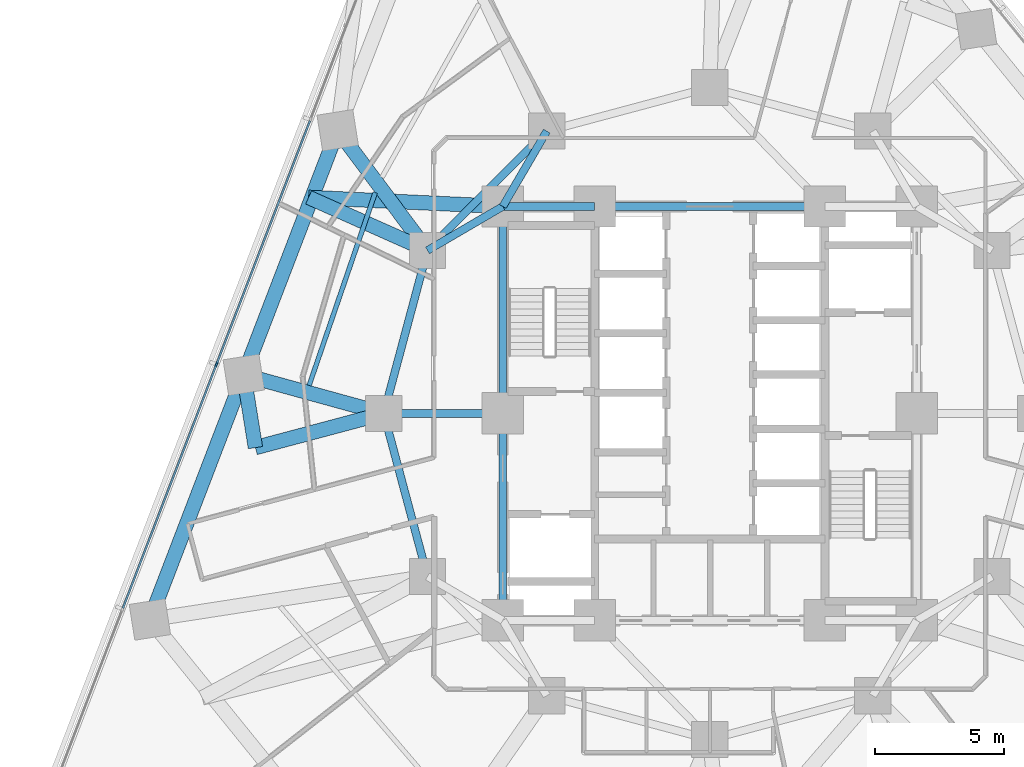
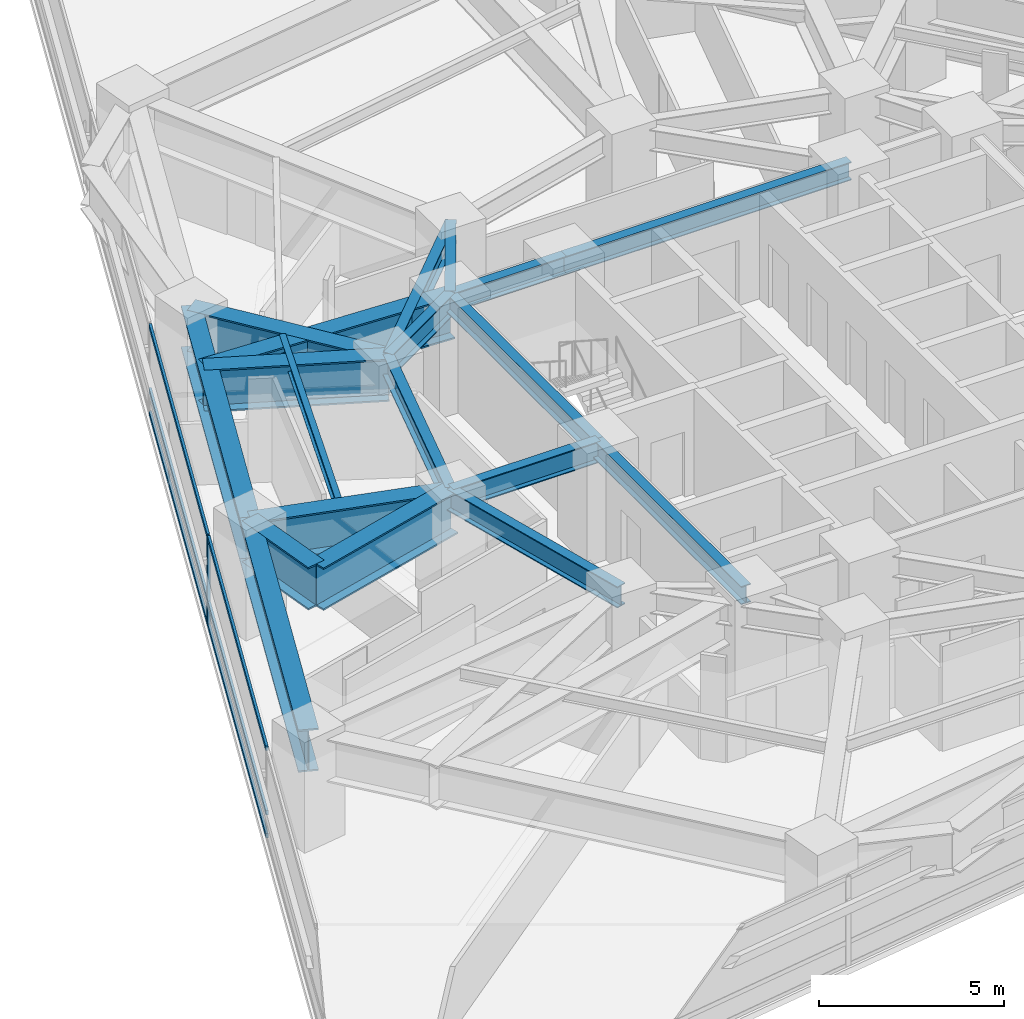
# One storey, part 3 of 13: 19 beams, 7 members, 1 element without a shape of its own.
"""IFC4 building model written with IfcOpenShell, lengths in metres."""

from ifc_helpers import new_model, si_unit, direction, frame, origin, origin_2d, place, context, subcontext, project, spatial, rectangle, i_section, extrude, material, layer, layer_set, material_profile, profile_set, type_object, element, aggregate, save


model = new_model("IFC4")

# Units and contexts
model_context = context("Model", 3, precision=1e-05, world=origin(), true_north=direction((0.0, 1.0)))
body_context = subcontext(model_context, "Body", "Model", "MODEL_VIEW")
ifc_project = project(units=[si_unit("LENGTHUNIT", "METRE"), si_unit("AREAUNIT", "SQUARE_METRE"), si_unit("VOLUMEUNIT", "CUBIC_METRE"), si_unit("PLANEANGLEUNIT", "RADIAN"), si_unit("MASSUNIT", "GRAM", prefix="KILO")], contexts=[model_context])

# Site, building, storey
site_placement = place(None, origin())
site = spatial("IfcSite", under=ifc_project, at=site_placement, CompositionType="ELEMENT")
building_placement = place(site_placement, origin())
building = spatial("IfcBuilding", under=site, at=building_placement, Name="Terralouvre Media Tower", CompositionType="ELEMENT")
storey_placement = place(building_placement, frame((0.0, 0.0, 81.5)))
storey = spatial("IfcBuildingStorey", under=building, at=storey_placement, Name="L20", CompositionType="ELEMENT", Elevation=81.5)

# Beam
ifc_material_1 = material(Name="Structural steel S355J2", Category="steel")
ifc_material_profile_1 = material_profile(ifc_material_1, i_section(OverallWidth=0.179931640625, OverallDepth=0.39990234375, WebThickness=0.008544921875, FlangeThickness=0.013427734375, at=origin_2d()), Name="IPE 400")
ifc_profile_set_1 = profile_set([ifc_material_profile_1], Name="Structural steel S355J2")
beam_type_1 = type_object("IfcBeamType", Name="Composite Floor Joist J-IPE400 (IPE 400)", PredefinedType="JOIST", material=ifc_profile_set_1)
beam_1_placement = place(storey_placement, frame((-12.929443359375, 8.535888671875, 3.260009765625), z_axis=(-0.324414630217, -0.945914979108, 0.0), x_axis=(0.945914979108, -0.324414630217, 0.0)))
element("IfcBeam", 1, at=beam_1_placement, inside=storey, type_object=beam_type_1, Name="L20 Framing Beam JT-L20-11", PredefinedType="JOIST", context=body_context, shape_type="SweptSolid", body=[
    extrude(i_section(OverallWidth=0.179931640625, OverallDepth=0.39990234375, WebThickness=0.008544921875, FlangeThickness=0.013427734375, at=origin_2d()), origin(), (0.0, 0.0, 1.0), 7.87939453125),
])

# Curtain wall, members
ifc_material_2 = material(Name="Low-iron laminated double glazing with solar-control coating", Category="glass")
ifc_layer = layer(ifc_material_2, 0.1650390625, Name="Lower Media Tower Unitised Curtain Wall CW-02")
ifc_layer_set = layer_set([ifc_layer], Name="Low-iron laminated double glazing with solar-control coating")
curtain_wall_type = type_object("IfcCurtainWallType", Name="Lower Media Tower Unitised Curtain Wall CW-02", PredefinedType="NOTDEFINED", material=ifc_layer_set)
curtain_wall_placement = place(storey_placement, origin())
curtain_wall = element("IfcCurtainWall", 2, at=curtain_wall_placement, inside=storey, type_object=curtain_wall_type, Name="L20 Facade Curtain Wall F2", PredefinedType="NOTDEFINED")
ifc_material_3 = material(Name="Anodised extruded aluminium 6063-T6", Category="aluminium")
ifc_material_profile_2 = material_profile(ifc_material_3, rectangle(XDim=0.074951171875, YDim=0.14990234375, at=origin_2d()), Name="ALU 75x150")
ifc_profile_set_2 = profile_set([ifc_material_profile_2], Name="Anodised extruded aluminium 6063-T6")
member_type_1 = type_object("IfcMemberType", Name="Curtain-Wall Horizontal Transom TR-150", PredefinedType="USERDEFINED", material=ifc_profile_set_2)
member_1_placement = place(storey_placement, frame((-15.449951171875, 11.314697265625, 0.03759765625), z_axis=(-0.358357340084, -0.933584499019, 0.0), x_axis=(0.933584499019, -0.358357340084, 0.0)))
member_1 = element("IfcMember", 3, at=member_1_placement, type_object=member_type_1, Name="CW-02 transom 3.1", ObjectType="TRANSOM", PredefinedType="USERDEFINED", context=body_context, shape_type="SweptSolid", body=[
    extrude(rectangle(XDim=0.074951171875, YDim=0.14990234375, at=origin_2d()), origin(), (0.0, 0.0, 1.0), 10.052978515625),
])
member_2_placement = place(storey_placement, frame((-15.449951171875, 11.314697265625, 0.800048828125), z_axis=(-0.358357340084, -0.933584499019, 0.0), x_axis=(0.933584499019, -0.358357340084, 0.0)))
member_2 = element("IfcMember", 4, at=member_2_placement, type_object=member_type_1, Name="CW-02 transom 3.2", ObjectType="TRANSOM", PredefinedType="USERDEFINED", context=body_context, shape_type="SweptSolid", body=[
    extrude(rectangle(XDim=0.074951171875, YDim=0.14990234375, at=origin_2d()), origin(), (0.0, 0.0, 1.0), 10.052978515625),
])
member_3_placement = place(storey_placement, frame((-15.449951171875, 11.314697265625, 2.922607421875), z_axis=(-0.358357340084, -0.933584499019, 0.0), x_axis=(0.933584499019, -0.358357340084, 0.0)))
member_3 = element("IfcMember", 5, at=member_3_placement, type_object=member_type_1, Name="CW-02 transom 3.3", ObjectType="TRANSOM", PredefinedType="USERDEFINED", context=body_context, shape_type="SweptSolid", body=[
    extrude(rectangle(XDim=0.074951171875, YDim=0.14990234375, at=origin_2d()), origin(), (0.0, 0.0, 1.0), 10.052978515625),
])
member_4_placement = place(storey_placement, frame((-19.079345703125, 1.859375, 0.03759765625), z_axis=(-0.358378506594, -0.933576373957, 0.0), x_axis=(0.933576373957, -0.358378506594, 0.0)))
member_4 = element("IfcMember", 6, at=member_4_placement, type_object=member_type_1, Name="CW-02 transom 4.1", ObjectType="TRANSOM", PredefinedType="USERDEFINED", context=body_context, shape_type="SweptSolid", body=[
    extrude(rectangle(XDim=0.074951171875, YDim=0.14990234375, at=origin_2d()), origin(), (0.0, 0.0, 1.0), 10.052978515625),
])
member_5_placement = place(storey_placement, frame((-19.079345703125, 1.859375, 0.800048828125), z_axis=(-0.358378506594, -0.933576373957, 0.0), x_axis=(0.933576373957, -0.358378506594, 0.0)))
member_5 = element("IfcMember", 7, at=member_5_placement, type_object=member_type_1, Name="CW-02 transom 4.2", ObjectType="TRANSOM", PredefinedType="USERDEFINED", context=body_context, shape_type="SweptSolid", body=[
    extrude(rectangle(XDim=0.074951171875, YDim=0.14990234375, at=origin_2d()), origin(), (0.0, 0.0, 1.0), 10.052978515625),
])
member_6_placement = place(storey_placement, frame((-19.079345703125, 1.859375, 2.922607421875), z_axis=(-0.358378506594, -0.933576373957, 0.0), x_axis=(0.933576373957, -0.358378506594, 0.0)))
member_6 = element("IfcMember", 8, at=member_6_placement, type_object=member_type_1, Name="CW-02 transom 4.3", ObjectType="TRANSOM", PredefinedType="USERDEFINED", context=body_context, shape_type="SweptSolid", body=[
    extrude(rectangle(XDim=0.074951171875, YDim=0.14990234375, at=origin_2d()), origin(), (0.0, 0.0, 1.0), 10.052978515625),
])
ifc_material_4 = material(Name="Anodised extruded aluminium 6063-T6", Category="aluminium")
ifc_material_profile_3 = material_profile(ifc_material_4, rectangle(XDim=0.074951171875, YDim=0.179931640625, at=origin_2d()), Name="ALU 75x180")
ifc_profile_set_3 = profile_set([ifc_material_profile_3], Name="Anodised extruded aluminium 6063-T6")
member_type_2 = type_object("IfcMemberType", Name="Curtain-Wall Vertical Mullion ML-180", PredefinedType="MULLION", material=ifc_profile_set_3)
member_7_placement = place(storey_placement, frame((-19.06591796875, 1.89453125, 0.0), z_axis=(0.0, 0.0, 1.0), x_axis=(0.933580438988, -0.358367917006, 0.0)))
member_7 = element("IfcMember", 9, at=member_7_placement, type_object=member_type_2, Name="CW-02 mullion 4", PredefinedType="MULLION", context=body_context, shape_type="SweptSolid", body=[
    extrude(rectangle(XDim=0.074951171875, YDim=0.179931640625, at=origin_2d()), origin(), (0.0, 0.0, 1.0), 2.9599609375),
])
aggregate(curtain_wall, [member_7, member_1, member_2, member_3, member_4, member_5, member_6])

# Beams
ifc_material_5 = material(Name="Structural steel S460M", Category="steel")
ifc_material_profile_4 = material_profile(ifc_material_5, i_section(OverallWidth=0.300048828125, OverallDepth=0.60009765625, WebThickness=0.015380859375, FlangeThickness=0.030029296875, at=origin_2d()), Name="HEB 600")
ifc_profile_set_4 = profile_set([ifc_material_profile_4], Name="Structural steel S460M")
beam_type_2 = type_object("IfcBeamType", Name="Primary Floor Girder B-HEB600 (HEB 600)", PredefinedType="BEAM", material=ifc_profile_set_4)
beam_2_placement = place(storey_placement, frame((4.449951171875, 8.0, 3.159912109375), z_axis=(-1.0, 0.0, 0.0), x_axis=(0.0, -1.0, 0.0)))
element("IfcBeam", 10, at=beam_2_placement, inside=storey, type_object=beam_type_2, Name="L20 Framing Beam BM-L20-CPR07", PredefinedType="BEAM", context=body_context, shape_type="SweptSolid", body=[
    extrude(i_section(OverallWidth=0.300048828125, OverallDepth=0.60009765625, WebThickness=0.015380859375, FlangeThickness=0.030029296875, at=origin_2d()), origin(), (0.0, 0.0, 1.0), 8.89990234375),
])
beam_3_placement = place(storey_placement, frame((-4.449951171875, 8.0, 3.159912109375), z_axis=(-1.0, 0.0, 0.0), x_axis=(0.0, -1.0, 0.0)))
element("IfcBeam", 11, at=beam_3_placement, inside=storey, type_object=beam_type_2, Name="L20 Framing Beam BM-L20-CPR08", PredefinedType="BEAM", context=body_context, shape_type="SweptSolid", body=[
    extrude(i_section(OverallWidth=0.300048828125, OverallDepth=0.60009765625, WebThickness=0.015380859375, FlangeThickness=0.030029296875, at=origin_2d()), origin(), (0.0, 0.0, 1.0), 3.550048828125),
])
for number, where, z_axis, x_axis, name in (
    (12, (-8.0, 8.0, 3.159912109375), (0.0, -1.0, 0.0), (1.0, 0.0, 0.0), "L20 Framing Beam BM-L20-CPR09"),
    (13, (-8.0, 0.0, 3.159912109375), (0.0, -1.0, 0.0), (1.0, 0.0, 0.0), "L20 Framing Beam BM-L20-CPR10"),
):
    element("IfcBeam", number, at=place(storey_placement, frame(where, z_axis=z_axis, x_axis=x_axis)), inside=storey, type_object=beam_type_2, Name=name, PredefinedType="BEAM", context=body_context, shape_type="SweptSolid", body=[
        extrude(i_section(OverallWidth=0.300048828125, OverallDepth=0.60009765625, WebThickness=0.015380859375, FlangeThickness=0.030029296875, at=origin_2d()), origin(), (0.0, 0.0, 1.0), 8.0),
    ])
ifc_material_6 = material(Name="Structural steel S460M", Category="steel")
ifc_material_profile_5 = material_profile(ifc_material_6, i_section(OverallWidth=0.300048828125, OverallDepth=0.699951171875, WebThickness=0.01708984375, FlangeThickness=0.031982421875, at=origin_2d()), Name="HEB 700")
ifc_profile_set_5 = profile_set([ifc_material_profile_5], Name="Structural steel S460M")
beam_type_3 = type_object("IfcBeamType", Name="Primary Floor Girder B-HEB700 (HEB 700)", PredefinedType="BEAM", material=ifc_profile_set_5)
beam_4_placement = place(storey_placement, frame((-6.300048828125, 10.911865234375, 3.110107421875), z_axis=(-0.707106781187, -0.707106781187, 0.0), x_axis=(0.707106781187, -0.707106781187, 0.0)))
element("IfcBeam", 14, at=beam_4_placement, inside=storey, type_object=beam_type_3, Name="L20 Framing Beam BM-L20-MR10", PredefinedType="BEAM", context=body_context, shape_type="SweptSolid", body=[
    extrude(i_section(OverallWidth=0.300048828125, OverallDepth=0.699951171875, WebThickness=0.01708984375, FlangeThickness=0.031982421875, at=origin_2d()), origin(), (0.0, 0.0, 1.0), 6.52197265625),
])
for number, where, z_axis, x_axis, name in (
    (15, (-10.911865234375, 6.300048828125, 3.110107421875), (-0.258838989821, -0.965920481897, 0.0), (0.965920481897, -0.258838989821, 0.0), "L20 Framing Beam BM-L20-MR11"),
    (16, (-12.60009765625, 0.0, 3.110107421875), (0.258838989821, -0.965920481897, 0.0), (0.965920481897, 0.258838989821, 0.0), "L20 Framing Beam BM-L20-MR12"),
):
    element("IfcBeam", number, at=place(storey_placement, frame(where, z_axis=z_axis, x_axis=x_axis)), inside=storey, type_object=beam_type_3, Name=name, PredefinedType="BEAM", context=body_context, shape_type="SweptSolid", body=[
        extrude(i_section(OverallWidth=0.300048828125, OverallDepth=0.699951171875, WebThickness=0.01708984375, FlangeThickness=0.031982421875, at=origin_2d()), origin(), (0.0, 0.0, 1.0), 6.522216796875),
    ])
for number, where, z_axis, x_axis, name in (
    (17, (-8.0, 8.0, 3.110107421875), (0.504172629717, 0.863602894532, 0.0), (-0.863602894532, 0.504172629717, 0.0), "L20 Framing Beam BM-L20-CM10"),
    (18, (-8.0, 8.0, 3.110107421875), (-0.863602894532, -0.504172629717, 0.0), (0.504172629717, -0.863602894532, 0.0), "L20 Framing Beam BM-L20-CM11"),
):
    element("IfcBeam", number, at=place(storey_placement, frame(where, z_axis=z_axis, x_axis=x_axis)), inside=storey, type_object=beam_type_3, Name=name, PredefinedType="BEAM", context=body_context, shape_type="SweptSolid", body=[
        extrude(i_section(OverallWidth=0.300048828125, OverallDepth=0.699951171875, WebThickness=0.01708984375, FlangeThickness=0.031982421875, at=origin_2d()), origin(), (0.0, 0.0, 1.0), 3.371826171875),
    ])
beam_5_placement = place(storey_placement, frame((-8.0, 0.0, 3.110107421875), z_axis=(-1.0, 0.0, 0.0), x_axis=(0.0, -1.0, 0.0)))
element("IfcBeam", 19, at=beam_5_placement, inside=storey, type_object=beam_type_3, Name="L20 Framing Beam BM-L20-CM12", PredefinedType="BEAM", context=body_context, shape_type="SweptSolid", body=[
    extrude(i_section(OverallWidth=0.300048828125, OverallDepth=0.699951171875, WebThickness=0.01708984375, FlangeThickness=0.031982421875, at=origin_2d()), origin(), (0.0, 0.0, 1.0), 4.60009765625),
])
ifc_material_7 = material(Name="Structural steel S460M", Category="steel")
ifc_material_profile_6 = material_profile(ifc_material_7, i_section(OverallWidth=0.56005859375, OverallDepth=1.39990234375, WebThickness=0.031982421875, FlangeThickness=0.050048828125, at=origin_2d()), Name="TG 1400x560")
ifc_profile_set_6 = profile_set([ifc_material_profile_6], Name="Structural steel S460M")
beam_type_4 = type_object("IfcBeamType", Name="Welded Transfer Girder TG-1400 (TG 1400x560)", PredefinedType="USERDEFINED", material=ifc_profile_set_6)
for number, where, z_axis, x_axis, name in (
    (20, (-14.38134765625, 10.94482421875, 2.760009765625), (-0.358374878229, -0.933577766795, 0.0), (0.933577766795, -0.358374878229, 0.0), "L20 Framing Beam BM-L20-PR11"),
    (21, (-18.010986328125, 1.489501953125, 2.760009765625), (-0.358374878229, -0.933577766795, 0.0), (0.933577766795, -0.358374878229, 0.0), "L20 Framing Beam BM-L20-PR12"),
):
    element("IfcBeam", number, at=place(storey_placement, frame(where, z_axis=z_axis, x_axis=x_axis)), inside=storey, type_object=beam_type_4, Name=name, ObjectType="TRANSFER GIRDER", PredefinedType="USERDEFINED", context=body_context, shape_type="SweptSolid", body=[
        extrude(i_section(OverallWidth=0.56005859375, OverallDepth=1.39990234375, WebThickness=0.031982421875, FlangeThickness=0.050048828125, at=origin_2d()), origin(), (0.0, 0.0, 1.0), 10.1279296875),
    ])
beam_6_placement = place(storey_placement, frame((-10.911865234375, 6.300048828125, 2.760009765625), z_axis=(-0.598442434067, 0.801165808749, 0.0), x_axis=(-0.801165808749, -0.598442434067, 0.0)))
element("IfcBeam", 22, at=beam_6_placement, inside=storey, type_object=beam_type_4, Name="L20 Framing Beam BM-L20-RD11", ObjectType="TRANSFER GIRDER", PredefinedType="USERDEFINED", context=body_context, shape_type="SweptSolid", body=[
    extrude(i_section(OverallWidth=0.56005859375, OverallDepth=1.39990234375, WebThickness=0.031982421875, FlangeThickness=0.050048828125, at=origin_2d()), origin(), (0.0, 0.0, 1.0), 5.797607421875),
])
beam_7_placement = place(storey_placement, frame((-12.60009765625, 0.0, 2.760009765625), z_axis=(-0.964136682273, 0.265406212992, 0.0), x_axis=(-0.265406212992, -0.964136682273, 0.0)))
element("IfcBeam", 23, at=beam_7_placement, inside=storey, type_object=beam_type_4, Name="L20 Framing Beam BM-L20-RD12", ObjectType="TRANSFER GIRDER", PredefinedType="USERDEFINED", context=body_context, shape_type="SweptSolid", body=[
    extrude(i_section(OverallWidth=0.56005859375, OverallDepth=1.39990234375, WebThickness=0.031982421875, FlangeThickness=0.050048828125, at=origin_2d()), origin(), (0.0, 0.0, 1.0), 5.612060546875),
])
beam_8_placement = place(storey_placement, frame((-15.5048828125, 8.35009765625, 2.760009765625), z_axis=(0.913167886247, -0.407583625196, 0.0), x_axis=(0.407583625196, 0.913167886247, 0.0)))
element("IfcBeam", 24, at=beam_8_placement, inside=storey, type_object=beam_type_4, Name="L20 Framing Beam BM-L20-TR10S1", ObjectType="TRANSFER GIRDER", PredefinedType="USERDEFINED", context=body_context, shape_type="SweptSolid", body=[
    extrude(i_section(OverallWidth=0.56005859375, OverallDepth=1.39990234375, WebThickness=0.031982421875, FlangeThickness=0.050048828125, at=origin_2d()), origin(), (0.0, 0.0, 1.0), 5.02978515625),
])
beam_9_placement = place(storey_placement, frame((-15.5048828125, 8.35009765625, 2.760009765625), z_axis=(0.998913693279, -0.046598641385, 0.0), x_axis=(0.046598641385, 0.998913693279, 0.0)))
element("IfcBeam", 25, at=beam_9_placement, inside=storey, type_object=beam_type_4, Name="L20 Framing Beam BM-L20-TR10S2", ObjectType="TRANSFER GIRDER", PredefinedType="USERDEFINED", context=body_context, shape_type="SweptSolid", body=[
    extrude(i_section(OverallWidth=0.56005859375, OverallDepth=1.39990234375, WebThickness=0.031982421875, FlangeThickness=0.050048828125, at=origin_2d()), origin(), (0.0, 0.0, 1.0), 7.512939453125),
])
beam_10_placement = place(storey_placement, frame((-17.560791015625, -1.32177734375, 2.760009765625), z_axis=(-0.158124276087, 0.987419218626, 0.0), x_axis=(-0.987419218626, -0.158124276087, 0.0)))
element("IfcBeam", 26, at=beam_10_placement, inside=storey, type_object=beam_type_4, Name="L20 Framing Beam BM-L20-TR11S1", ObjectType="TRANSFER GIRDER", PredefinedType="USERDEFINED", context=body_context, shape_type="SweptSolid", body=[
    extrude(i_section(OverallWidth=0.56005859375, OverallDepth=1.39990234375, WebThickness=0.031982421875, FlangeThickness=0.050048828125, at=origin_2d()), origin(), (0.0, 0.0, 1.0), 2.84716796875),
])
beam_11_placement = place(storey_placement, frame((-17.560791015625, -1.32177734375, 2.760009765625), z_axis=(0.966287014212, 0.257467291449, 0.0), x_axis=(-0.257467291449, 0.966287014212, 0.0)))
element("IfcBeam", 27, at=beam_11_placement, inside=storey, type_object=beam_type_4, Name="L20 Framing Beam BM-L20-TR11S2", ObjectType="TRANSFER GIRDER", PredefinedType="USERDEFINED", context=body_context, shape_type="SweptSolid", body=[
    extrude(i_section(OverallWidth=0.56005859375, OverallDepth=1.39990234375, WebThickness=0.031982421875, FlangeThickness=0.050048828125, at=origin_2d()), origin(), (0.0, 0.0, 1.0), 5.1337890625),
])

save(model, "model.ifc")
